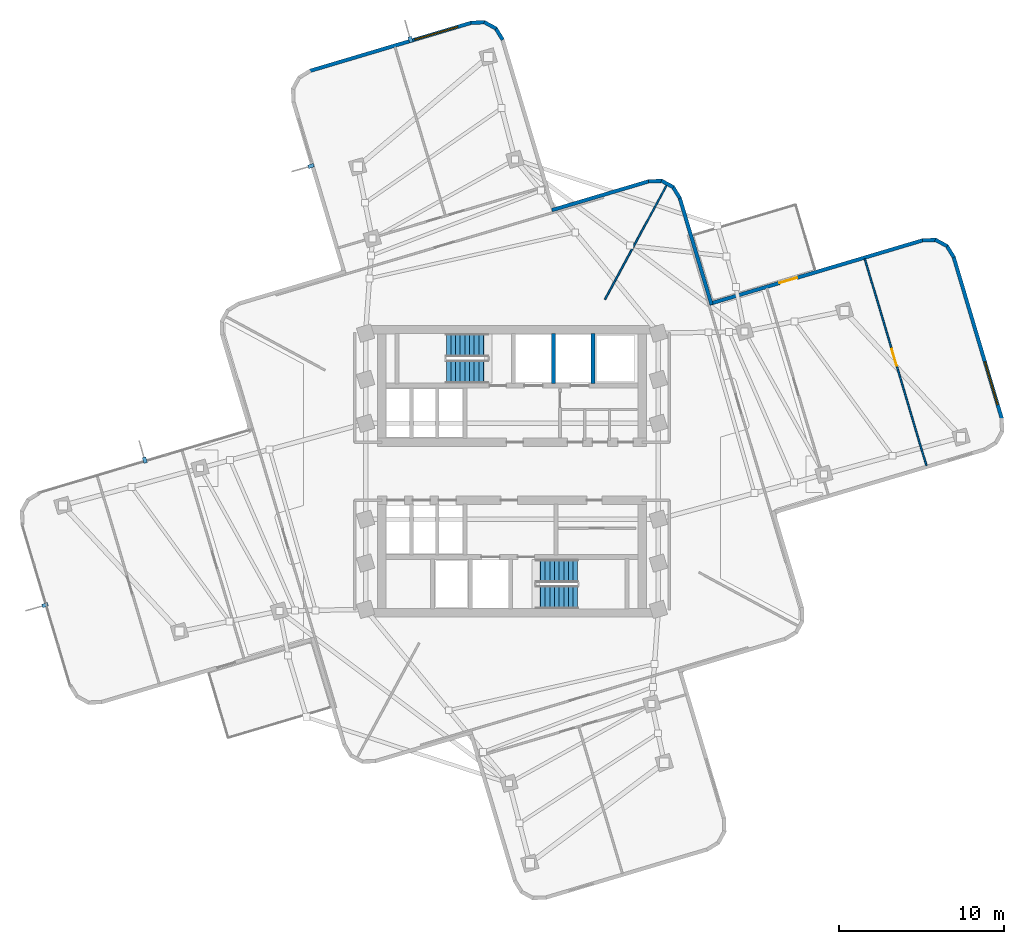
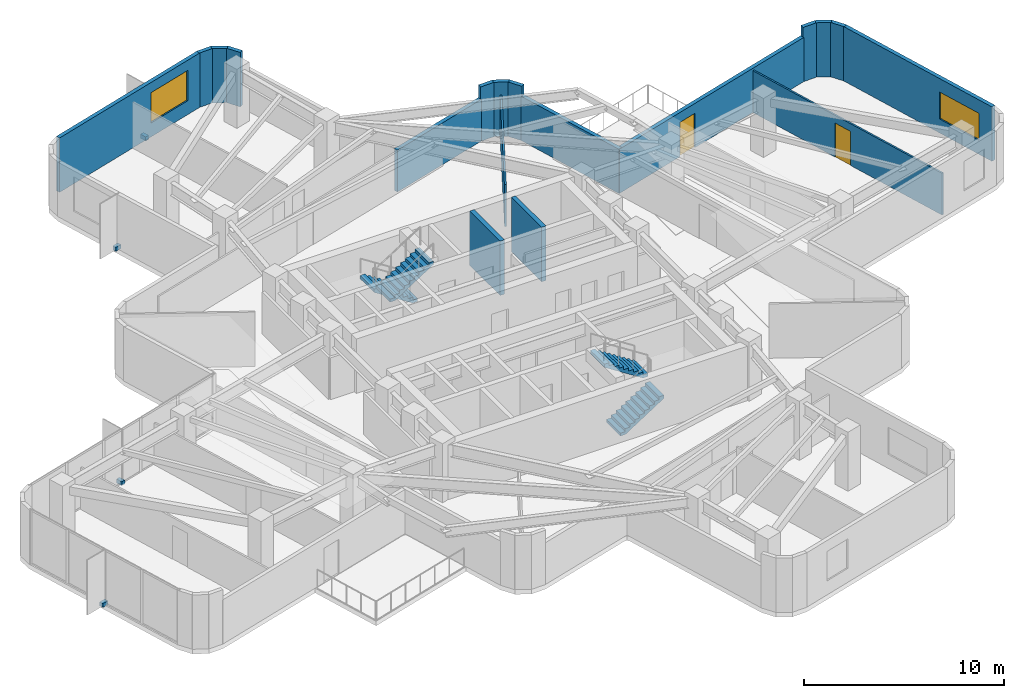
# One storey, part 8 of 11: 18 walls, 4 discrete accessories, 4 stair flights, 2 doors, 2 windows, 4 openings, 2 elements without a shape of their own.
"""IFC4 building model written with IfcOpenShell, lengths in metres."""

from ifc_helpers import new_model, si_unit, direction, frame, frame_2d, origin, origin_2d, place, context, subcontext, project, spatial, polyline, rectangle, outline, extrude, material, layer, layer_set, type_object, element, fill, aggregate, save


model = new_model("IFC4")

# Units and contexts
model_context = context("Model", 3, precision=1e-05, world=origin(), true_north=direction((0.0, 1.0)))
body_context = subcontext(model_context, "Body", "Model", "MODEL_VIEW")
ifc_project = project(units=[si_unit("LENGTHUNIT", "METRE"), si_unit("AREAUNIT", "SQUARE_METRE"), si_unit("VOLUMEUNIT", "CUBIC_METRE"), si_unit("PLANEANGLEUNIT", "RADIAN"), si_unit("MASSUNIT", "GRAM", prefix="KILO")], contexts=[model_context])

# Site, building, storey
site_placement = place(None, origin())
site = spatial("IfcSite", under=ifc_project, at=site_placement, CompositionType="ELEMENT")
building_placement = place(site_placement, origin())
building = spatial("IfcBuilding", under=site, at=building_placement, Name="Solmarez Civic Tower", CompositionType="ELEMENT")
storey_placement = place(building_placement, frame((0.0, 0.0, 141.47998046875)))
storey = spatial("IfcBuildingStorey", under=building, at=storey_placement, Name="L37", CompositionType="ELEMENT", Elevation=141.47998046875)

# Wall, opening, window
ifc_material_1 = material(Name="Precast concrete C40/50", Category="concrete")
ifc_layer_1 = layer(ifc_material_1, 0.219970703125)
ifc_layer_set_1 = layer_set([ifc_layer_1], Name="Precast concrete C40/50")
wall_type_1 = type_object("IfcWallType", Name="WALL-EXT-220", PredefinedType="SOLIDWALL", material=ifc_layer_set_1)
wall_1_placement = place(storey_placement, frame((-12.235107421875, 24.202880859375, 0.0), z_axis=(0.0, 0.0, 1.0), x_axis=(0.958315018626, 0.28571371174, 0.0)))
wall_1 = element("IfcWall", 1, at=wall_1_placement, inside=storey, type_object=wall_type_1, Name="L37 Exterior Precast Wall 24", PredefinedType="SOLIDWALL", context=body_context, shape_type="SweptSolid", body=[
    extrude(rectangle(XDim=10.2412109375, YDim=0.219970703125, at=frame_2d((5.12060546875, 0.0))), origin(), (0.0, 0.0, 1.0), 3.320068359375),
])
opening_1_placement = place(wall_1_placement, frame((6.637939453125, 0.0, 0.85009765625)))
opening_1 = element("IfcOpeningElement", 2, at=opening_1_placement, cuts=wall_1, Name="Opening W-05", PredefinedType="OPENING", context=body_context, shape_type="SweptSolid", body=[
    extrude(rectangle(XDim=2.699951171875, YDim=1.85009765625, at=frame_2d((1.35009765625, 0.925048828125))), frame((0.0, 0.119873046875, 0.0), z_axis=(0.0, -1.0, 0.0), x_axis=(1.0, 0.0, 0.0)), (0.0, 0.0, 1.0), 0.239990234375),
])
ifc_material_2 = material(Name="Solar Control Bronze-Tinted Insulating Glass", Category="glass")
window_type_1 = type_object("IfcWindowType", Name="WIN-2700X1850", PartitioningType="SINGLE_PANEL", PredefinedType="WINDOW", material=ifc_material_2)
window_1_placement = place(opening_1_placement, origin())
window_1 = element("IfcWindow", 3, at=window_1_placement, inside=storey, type_object=window_type_1, Name="L37 Exterior Facade Window 24", OverallHeight=1.85009765625, OverallWidth=2.699951171875, PartitioningType="SINGLE_PANEL", PredefinedType="WINDOW", context=body_context, shape_type="SweptSolid", body=[
    extrude(rectangle(XDim=2.699951171875, YDim=1.85009765625, at=frame_2d((1.35009765625, 0.925048828125))), frame((0.0, 0.030029296875, 0.0), z_axis=(0.0, -1.0, 0.0), x_axis=(1.0, 0.0, 0.0)), (0.0, 0.0, 1.0), 0.06005859375),
])
fill(opening_1, window_1)

# Walls
wall_2_placement = place(storey_placement, frame((-2.469970703125, 27.12109375, 0.0), z_axis=(0.0, 0.0, 1.0), x_axis=(0.999588738122, 0.028676726094, 0.0)))
element("IfcWall", 4, at=wall_2_placement, inside=storey, type_object=wall_type_1, Name="L37 Exterior Precast Wall 25", PredefinedType="SOLIDWALL", context=body_context, shape_type="SweptSolid", body=[
    extrude(rectangle(XDim=0.834228515625, YDim=0.219970703125, at=frame_2d((0.4169921875, 0.0))), origin(), (0.0, 0.0, 1.0), 3.320068359375),
])
wall_3_placement = place(storey_placement, frame((-1.68310546875, 27.156005859375, 0.0), z_axis=(0.0, 0.0, 1.0), x_axis=(0.879676210785, -0.475573090259, 0.0)))
element("IfcWall", 5, at=wall_3_placement, inside=storey, type_object=wall_type_1, Name="L37 Exterior Precast Wall 26", PredefinedType="SOLIDWALL", context=body_context, shape_type="SweptSolid", body=[
    extrude(rectangle(XDim=0.81982421875, YDim=0.219970703125, at=frame_2d((0.409912109375, 0.0))), origin(), (0.0, 0.0, 1.0), 3.320068359375),
])
wall_4_placement = place(storey_placement, frame((-0.9970703125, 26.799072265625, 0.0), z_axis=(0.0, 0.0, 1.0), x_axis=(0.524195456684, -0.851597982144, 0.0)))
element("IfcWall", 6, at=wall_4_placement, inside=storey, type_object=wall_type_1, Name="L37 Exterior Precast Wall 27", PredefinedType="SOLIDWALL", context=body_context, shape_type="SweptSolid", body=[
    extrude(rectangle(XDim=0.833740234375, YDim=0.219970703125, at=frame_2d((0.4169921875, 0.0))), origin(), (0.0, 0.0, 1.0), 3.320068359375),
])
wall_5_placement = place(storey_placement, frame((2.412109375, 15.787109375, 0.0), z_axis=(0.0, 0.0, 1.0), x_axis=(0.958315274342, 0.285712854037, 0.0)))
element("IfcWall", 7, at=wall_5_placement, inside=storey, type_object=wall_type_1, Name="L37 Exterior Precast Wall 31", PredefinedType="SOLIDWALL", context=body_context, shape_type="SweptSolid", body=[
    extrude(rectangle(XDim=6.138671875, YDim=0.219970703125, at=frame_2d((3.0693359375, 0.0))), origin(), (0.0, 0.0, 1.0), 2.550048828125),
])
wall_6_placement = place(storey_placement, frame((8.24609375, 17.532958984375, 0.0), z_axis=(0.0, 0.0, 1.0), x_axis=(0.999588738122, 0.028676726094, 0.0)))
element("IfcWall", 8, at=wall_6_placement, inside=storey, type_object=wall_type_1, Name="L37 Exterior Precast Wall 32", PredefinedType="SOLIDWALL", context=body_context, shape_type="SweptSolid", body=[
    extrude(rectangle(XDim=0.834228515625, YDim=0.219970703125, at=frame_2d((0.4169921875, 0.0))), origin(), (0.0, 0.0, 1.0), 3.320068359375),
])
wall_7_placement = place(storey_placement, frame((9.032958984375, 17.568115234375, 0.0), z_axis=(0.0, 0.0, 1.0), x_axis=(0.879484183411, -0.475928115507, 0.0)))
element("IfcWall", 9, at=wall_7_placement, inside=storey, type_object=wall_type_1, Name="L37 Exterior Precast Wall 33", PredefinedType="SOLIDWALL", context=body_context, shape_type="SweptSolid", body=[
    extrude(rectangle(XDim=0.81982421875, YDim=0.219970703125, at=frame_2d((0.409912109375, 0.0))), origin(), (0.0, 0.0, 1.0), 3.320068359375),
])
wall_8_placement = place(storey_placement, frame((9.718994140625, 17.2109375, 0.0), z_axis=(0.0, 0.0, 1.0), x_axis=(0.524195456684, -0.851597982144, 0.0)))
element("IfcWall", 10, at=wall_8_placement, inside=storey, type_object=wall_type_1, Name="L37 Exterior Precast Wall 34", PredefinedType="SOLIDWALL", context=body_context, shape_type="SweptSolid", body=[
    extrude(rectangle(XDim=0.833740234375, YDim=0.219970703125, at=frame_2d((0.4169921875, 0.0))), origin(), (0.0, 0.0, 1.0), 3.320068359375),
])
wall_9_placement = place(storey_placement, frame((10.135986328125, 16.5458984375, 0.0), z_axis=(0.0, 0.0, 1.0), x_axis=(0.285607207592, -0.958346765514, 0.0)))
element("IfcWall", 11, at=wall_9_placement, inside=storey, type_object=wall_type_1, Name="L37 Exterior Precast Wall 35", PredefinedType="SOLIDWALL", context=body_context, shape_type="SweptSolid", body=[
    extrude(rectangle(XDim=6.75732421875, YDim=0.219970703125, at=frame_2d((3.378662109375, 0.0))), origin(), (0.0, 0.0, 1.0), 2.699951171875),
])

# Wall, opening, door
wall_10_placement = place(storey_placement, frame((11.95703125, 10.12890625, 0.0), z_axis=(0.0, 0.0, 1.0), x_axis=(0.958343962332, 0.285616613419, 0.0)))
wall_10 = element("IfcWall", 12, at=wall_10_placement, inside=storey, type_object=wall_type_1, Name="L37 Exterior Precast Wall 38", PredefinedType="SOLIDWALL", context=body_context, shape_type="SweptSolid", body=[
    extrude(rectangle(XDim=13.45849609375, YDim=0.219970703125, at=frame_2d((6.729248046875, 0.0))), origin(), (0.0, 0.0, 1.0), 2.699951171875),
])
opening_2_placement = place(wall_10_placement, frame((4.39990234375, 0.0, 0.0)))
opening_2 = element("IfcOpeningElement", 13, at=opening_2_placement, cuts=wall_10, Name="Opening D-06", PredefinedType="OPENING", context=body_context, shape_type="SweptSolid", body=[
    extrude(rectangle(XDim=1.10009765625, YDim=2.10009765625, at=frame_2d((0.550048828125, 1.050048828125))), frame((0.0, 0.119873046875, 0.0), z_axis=(0.0, -1.0, 0.0), x_axis=(1.0, 0.0, 0.0)), (0.0, 0.0, 1.0), 0.239990234375),
])
ifc_material_3 = material(Name="Bronze Anodised Aluminium Glazed Terrace Door", Category="aluminium")
door_type_1 = type_object("IfcDoorType", Name="DOOR-TERR-1100", OperationType="NOTDEFINED", PredefinedType="DOOR", material=ifc_material_3)
door_1_placement = place(opening_2_placement, origin())
door_1 = element("IfcDoor", 14, at=door_1_placement, inside=storey, type_object=door_type_1, Name="L37 Outdoor Terrace Glazed Door", OperationType="SINGLE_SWING_RIGHT", OverallHeight=2.10009765625, OverallWidth=1.10009765625, PredefinedType="DOOR", context=body_context, shape_type="SweptSolid", body=[
    extrude(rectangle(XDim=1.10009765625, YDim=2.10009765625, at=frame_2d((0.550048828125, 1.050048828125))), frame((0.0, 0.02490234375, 0.0), z_axis=(0.0, -1.0, 0.0), x_axis=(1.0, 0.0, 0.0)), (0.0, 0.0, 1.0), 0.050048828125),
])
fill(opening_2, door_1)

# Walls
wall_11_placement = place(storey_placement, frame((24.805908203125, 13.965087890625, 0.0), z_axis=(0.0, 0.0, 1.0), x_axis=(0.999587773882, 0.028710317069, 0.0)))
element("IfcWall", 15, at=wall_11_placement, inside=storey, type_object=wall_type_1, Name="L37 Exterior Precast Wall 39", PredefinedType="SOLIDWALL", context=body_context, shape_type="SweptSolid", body=[
    extrude(rectangle(XDim=0.833251953125, YDim=0.219970703125, at=frame_2d((0.41650390625, 0.0))), origin(), (0.0, 0.0, 1.0), 3.320068359375),
])
wall_12_placement = place(storey_placement, frame((25.592041015625, 14.0, 0.0), z_axis=(0.0, 0.0, 1.0), x_axis=(0.879608832869, -0.47569769932, 0.0)))
element("IfcWall", 16, at=wall_12_placement, inside=storey, type_object=wall_type_1, Name="L37 Exterior Precast Wall 40", PredefinedType="SOLIDWALL", context=body_context, shape_type="SweptSolid", body=[
    extrude(rectangle(XDim=0.819580078125, YDim=0.219970703125, at=frame_2d((0.40966796875, 0.0))), origin(), (0.0, 0.0, 1.0), 3.320068359375),
])
wall_13_placement = place(storey_placement, frame((26.278076171875, 13.64306640625, 0.0), z_axis=(0.0, 0.0, 1.0), x_axis=(0.524195456684, -0.851597982144, 0.0)))
element("IfcWall", 17, at=wall_13_placement, inside=storey, type_object=wall_type_1, Name="L37 Exterior Precast Wall 41", PredefinedType="SOLIDWALL", context=body_context, shape_type="SweptSolid", body=[
    extrude(rectangle(XDim=0.833740234375, YDim=0.219970703125, at=frame_2d((0.4169921875, 0.0))), origin(), (0.0, 0.0, 1.0), 3.320068359375),
])

# Wall, opening, window
wall_14_placement = place(storey_placement, frame((26.695068359375, 12.97802734375, 0.0), z_axis=(0.0, 0.0, 1.0), x_axis=(0.285720239165, -0.958313072504, 0.0)))
wall_14 = element("IfcWall", 18, at=wall_14_placement, inside=storey, type_object=wall_type_1, Name="L37 Exterior Precast Wall 42", PredefinedType="SOLIDWALL", context=body_context, shape_type="SweptSolid", body=[
    extrude(rectangle(XDim=10.240966796875, YDim=0.219970703125, at=frame_2d((5.12060546875, 0.0))), origin(), (0.0, 0.0, 1.0), 3.320068359375),
])
opening_3_placement = place(wall_14_placement, frame((6.637939453125, 0.0, 0.85009765625)))
opening_3 = element("IfcOpeningElement", 19, at=opening_3_placement, cuts=wall_14, Name="Opening W-09", PredefinedType="OPENING", context=body_context, shape_type="SweptSolid", body=[
    extrude(rectangle(XDim=2.699951171875, YDim=1.64990234375, at=frame_2d((1.35009765625, 0.824951171875))), frame((0.0, 0.119873046875, 0.0), z_axis=(0.0, -1.0, 0.0), x_axis=(1.0, 0.0, 0.0)), (0.0, 0.0, 1.0), 0.239990234375),
])
window_type_2 = type_object("IfcWindowType", Name="WIN-2700X1650", PartitioningType="SINGLE_PANEL", PredefinedType="WINDOW", material=ifc_material_2)
window_2_placement = place(opening_3_placement, origin())
window_2 = element("IfcWindow", 20, at=window_2_placement, inside=storey, type_object=window_type_2, Name="L37 Exterior Facade Window 42", OverallHeight=1.64990234375, OverallWidth=2.699951171875, PartitioningType="SINGLE_PANEL", PredefinedType="WINDOW", context=body_context, shape_type="SweptSolid", body=[
    extrude(rectangle(XDim=2.699951171875, YDim=1.64990234375, at=frame_2d((1.35009765625, 0.824951171875))), frame((0.0, 0.030029296875, 0.0), z_axis=(0.0, -1.0, 0.0), x_axis=(1.0, 0.0, 0.0)), (0.0, 0.0, 1.0), 0.06005859375),
])
fill(opening_3, window_2)

# Wall
ifc_material_4 = material(Name="Gypsum Board Acoustic Steel-Stud Partition", Category="steel")
ifc_layer_2 = layer(ifc_material_4, 0.10009765625)
ifc_layer_set_2 = layer_set([ifc_layer_2], Name="Gypsum Board Acoustic Steel-Stud Partition")
wall_type_2 = type_object("IfcWallType", Name="WALL-INT-PART-100", PredefinedType="PARTITIONING", material=ifc_layer_set_2)
wall_15_placement = place(storey_placement, frame((5.612060546875, 10.3798828125, 0.0), z_axis=(0.0, 0.0, 1.0), x_axis=(0.475666815962, 0.879625534073, 0.0)))
element("IfcWall", 21, at=wall_15_placement, inside=storey, type_object=wall_type_2, Name="L37 Interior Partition PT-L37-QDIV-1", PredefinedType="PARTITIONING", context=body_context, shape_type="SweptSolid", body=[
    extrude(rectangle(XDim=7.875, YDim=0.10009765625, at=frame_2d((3.9375, 0.0))), origin(), (0.0, 0.0, 1.0), 2.550048828125),
])

# Wall, opening, door
wall_16_placement = place(storey_placement, frame((21.330078125, 12.843994140625, 0.0), z_axis=(0.0, 0.0, 1.0), x_axis=(0.285674008308, -0.958326854981, 0.0)))
wall_16 = element("IfcWall", 22, at=wall_16_placement, inside=storey, type_object=wall_type_2, Name="L37 Interior Partition PT-L37-E-SC2", PredefinedType="PARTITIONING", context=body_context, shape_type="SweptSolid", body=[
    extrude(rectangle(XDim=13.050048828125, YDim=0.10009765625, at=frame_2d((6.52490234375, 0.0))), origin(), (0.0, 0.0, 1.0), 2.550048828125),
])
opening_4_placement = place(wall_16_placement, frame((5.68994140625, 0.0, 0.0)))
opening_4 = element("IfcOpeningElement", 23, at=opening_4_placement, cuts=wall_16, Name="Opening D-13", PredefinedType="OPENING", context=body_context, shape_type="SweptSolid", body=[
    extrude(rectangle(XDim=1.050048828125, YDim=2.080078125, at=frame_2d((0.52490234375, 1.0400390625))), frame((0.0, 0.06005859375, 0.0), z_axis=(0.0, -1.0, 0.0), x_axis=(1.0, 0.0, 0.0)), (0.0, 0.0, 1.0), 0.1201171875),
])
ifc_material_5 = material(Name="Timber Directorate Office Door", Category="wood")
door_type_2 = type_object("IfcDoorType", Name="DOOR-INT-1050", OperationType="NOTDEFINED", PredefinedType="DOOR", material=ifc_material_5)
door_2_placement = place(opening_4_placement, origin())
door_2 = element("IfcDoor", 24, at=door_2_placement, inside=storey, type_object=door_type_2, Name="L37 Legal Counselling Room East Door", OperationType="SINGLE_SWING_RIGHT", OverallHeight=2.080078125, OverallWidth=1.050048828125, PredefinedType="DOOR", context=body_context, shape_type="SweptSolid", body=[
    extrude(rectangle(XDim=1.050048828125, YDim=2.080078125, at=frame_2d((0.52490234375, 1.0400390625))), frame((0.0, 0.02490234375, 0.0), z_axis=(0.0, -1.0, 0.0), x_axis=(1.0, 0.0, 0.0)), (0.0, 0.0, 1.0), 0.050048828125),
])
fill(opening_4, door_2)

# Walls
ifc_material_6 = material(Name="Concrete C50/60", Category="concrete")
ifc_layer_3 = layer(ifc_material_6, 0.300048828125)
ifc_layer_set_3 = layer_set([ifc_layer_3], Name="Concrete C50/60")
wall_type_3 = type_object("IfcWallType", Name="WALL-STR-300", PredefinedType="SOLIDWALL", material=ifc_layer_set_3)
for number, where, z_axis, x_axis, name in (
    (25, (2.5, 5.300048828125, 0.0), (0.0, 0.0, 1.0), (0.0, 1.0, 0.0), "L37 Split-Core Structural Wall SHW-N2-L37"),
    (26, (4.89990234375, 5.300048828125, 0.0), (0.0, 0.0, 1.0), (0.0, 1.0, 0.0), "L37 Split-Core Structural Wall SHW-N3-L37"),
):
    element("IfcWall", number, at=place(storey_placement, frame(where, z_axis=z_axis, x_axis=x_axis)), inside=storey, type_object=wall_type_3, Name=name, PredefinedType="SOLIDWALL", context=body_context, shape_type="SweptSolid", body=[
        extrude(rectangle(XDim=3.0400390625, YDim=0.25, at=frame_2d((1.52001953125, 0.0))), origin(), (0.0, 0.0, 1.0), 3.320068359375),
    ])

# Stair, stair flights
stair_type = type_object("IfcStairType", Name="STAIR-DOGLEG-140W-20R-1800", PredefinedType="HALF_TURN_STAIR", material=ifc_material_6)
stair_1_placement = place(storey_placement, origin())
stair_1 = element("IfcStair", 27, at=stair_1_placement, inside=storey, type_object=stair_type, Name="L37 North Core Protected Exit Stair ST-1", PredefinedType="HALF_TURN_STAIR")
stair_flight_type = type_object("IfcStairFlightType", Name="FLIGHT-DOGLEG-140W-10R-1800", PredefinedType="STRAIGHT", material=ifc_material_6)
stair_flight_1_placement = place(storey_placement, frame((-1.449951171875, 7.6201171875, 0.0), z_axis=(0.0, 0.0, 1.0), x_axis=(-1.0, 0.0, 0.0)))
stair_flight_1 = element("IfcStairFlight", 28, at=stair_flight_1_placement, type_object=stair_flight_type, Name="ST-1 flight 1", NumberOfRisers=10, NumberOfTreads=9, PredefinedType="STRAIGHT", RiserHeight=0.18, TreadLength=0.28, context=body_context, shape_type="SweptSolid", body=[
    extrude(outline(polyline([(0.0, 0.0), (0.0, 0.179931640625), (0.280029296875, 0.179931640625), (0.280029296875, 0.360107421875), (0.56005859375, 0.360107421875), (0.56005859375, 0.5400390625), (0.840087890625, 0.5400390625), (0.840087890625, 0.719970703125), (1.1201171875, 0.719970703125), (1.1201171875, 0.89990234375), (1.39990234375, 0.89990234375), (1.39990234375, 1.080078125), (1.679931640625, 1.080078125), (1.679931640625, 1.260009765625), (1.9599609375, 1.260009765625), (1.9599609375, 1.43994140625), (2.239990234375, 1.43994140625), (2.239990234375, 1.6201171875), (2.52001953125, 1.6201171875), (2.52001953125, 1.800048828125), (2.52001953125, 1.429931640625), (0.295654296875, 0.0), (0.0, 0.0)])), frame((0.0, 0.699951171875, 0.0), z_axis=(0.0, -1.0, 0.0), x_axis=(1.0, 0.0, 0.0)), (0.0, 0.0, 1.0), 1.39990234375),
])
stair_flight_2_placement = place(storey_placement, frame((-3.969970703125, 6.02001953125, 1.800048828125), z_axis=(0.0, 0.0, 1.0), x_axis=(1.0, 0.0, 0.0)))
stair_flight_2 = element("IfcStairFlight", 29, at=stair_flight_2_placement, type_object=stair_flight_type, Name="ST-1 flight 2", NumberOfRisers=10, NumberOfTreads=9, PredefinedType="STRAIGHT", RiserHeight=0.18, TreadLength=0.28, context=body_context, shape_type="SweptSolid", body=[
    extrude(outline(polyline([(0.0, 0.0), (0.0, 0.179931640625), (0.280029296875, 0.179931640625), (0.280029296875, 0.360107421875), (0.56005859375, 0.360107421875), (0.56005859375, 0.5400390625), (0.840087890625, 0.5400390625), (0.840087890625, 0.719970703125), (1.1201171875, 0.719970703125), (1.1201171875, 0.89990234375), (1.39990234375, 0.89990234375), (1.39990234375, 1.080078125), (1.679931640625, 1.080078125), (1.679931640625, 1.260009765625), (1.9599609375, 1.260009765625), (1.9599609375, 1.43994140625), (2.239990234375, 1.43994140625), (2.239990234375, 1.6201171875), (2.52001953125, 1.6201171875), (2.52001953125, 1.800048828125), (2.52001953125, 1.429931640625), (0.295654296875, 0.0), (0.0, 0.0)])), frame((0.0, 0.699951171875, 0.0), z_axis=(0.0, -1.0, 0.0), x_axis=(1.0, 0.0, 0.0)), (0.0, 0.0, 1.0), 1.39990234375),
])
aggregate(stair_1, [stair_flight_1, stair_flight_2])

stair_2_placement = place(storey_placement, origin())
stair_2 = element("IfcStair", 30, at=stair_2_placement, inside=storey, type_object=stair_type, Name="L37 South Core Protected Exit Stair ST-2", PredefinedType="HALF_TURN_STAIR")
stair_flight_3_placement = place(storey_placement, frame((1.449951171875, -7.6201171875, 0.0), z_axis=(0.0, 0.0, 1.0), x_axis=(1.0, 0.0, 0.0)))
stair_flight_3 = element("IfcStairFlight", 31, at=stair_flight_3_placement, type_object=stair_flight_type, Name="ST-2 flight 1", NumberOfRisers=10, NumberOfTreads=9, PredefinedType="STRAIGHT", RiserHeight=0.18, TreadLength=0.28, context=body_context, shape_type="SweptSolid", body=[
    extrude(outline(polyline([(0.0, 0.0), (0.0, 0.179931640625), (0.280029296875, 0.179931640625), (0.280029296875, 0.360107421875), (0.56005859375, 0.360107421875), (0.56005859375, 0.5400390625), (0.840087890625, 0.5400390625), (0.840087890625, 0.719970703125), (1.1201171875, 0.719970703125), (1.1201171875, 0.89990234375), (1.39990234375, 0.89990234375), (1.39990234375, 1.080078125), (1.679931640625, 1.080078125), (1.679931640625, 1.260009765625), (1.9599609375, 1.260009765625), (1.9599609375, 1.43994140625), (2.239990234375, 1.43994140625), (2.239990234375, 1.6201171875), (2.52001953125, 1.6201171875), (2.52001953125, 1.800048828125), (2.52001953125, 1.429931640625), (0.295654296875, 0.0), (0.0, 0.0)])), frame((0.0, 0.699951171875, 0.0), z_axis=(0.0, -1.0, 0.0), x_axis=(1.0, 0.0, 0.0)), (0.0, 0.0, 1.0), 1.39990234375),
])
stair_flight_4_placement = place(storey_placement, frame((3.969970703125, -6.02001953125, 1.800048828125), z_axis=(0.0, 0.0, 1.0), x_axis=(-1.0, 0.0, 0.0)))
stair_flight_4 = element("IfcStairFlight", 32, at=stair_flight_4_placement, type_object=stair_flight_type, Name="ST-2 flight 2", NumberOfRisers=10, NumberOfTreads=9, PredefinedType="STRAIGHT", RiserHeight=0.18, TreadLength=0.28, context=body_context, shape_type="SweptSolid", body=[
    extrude(outline(polyline([(0.0, 0.0), (0.0, 0.179931640625), (0.280029296875, 0.179931640625), (0.280029296875, 0.360107421875), (0.56005859375, 0.360107421875), (0.56005859375, 0.5400390625), (0.840087890625, 0.5400390625), (0.840087890625, 0.719970703125), (1.1201171875, 0.719970703125), (1.1201171875, 0.89990234375), (1.39990234375, 0.89990234375), (1.39990234375, 1.080078125), (1.679931640625, 1.080078125), (1.679931640625, 1.260009765625), (1.9599609375, 1.260009765625), (1.9599609375, 1.43994140625), (2.239990234375, 1.43994140625), (2.239990234375, 1.6201171875), (2.52001953125, 1.6201171875), (2.52001953125, 1.800048828125), (2.52001953125, 1.429931640625), (0.295654296875, 0.0), (0.0, 0.0)])), frame((0.0, 0.699951171875, 0.0), z_axis=(0.0, -1.0, 0.0), x_axis=(1.0, 0.0, 0.0)), (0.0, 0.0, 1.0), 1.39990234375),
])
aggregate(stair_2, [stair_flight_3, stair_flight_4])

# Discrete accessories
ifc_material_7 = material(Name="Stainless Steel Grade 1.4401", Category="steel")
discrete_accessory_type = type_object("IfcDiscreteAccessoryType", Name="BRACKET-SS-FIN", PredefinedType="BRACKET", material=ifc_material_7)
for number, where, z_axis, x_axis, name in (
    (33, (-28.235107421875, -8.093994140625, -0.06005859375), (0.0, 0.0, 1.0), (-0.958305675755, -0.285745046879, 0.0), "L37 Stainless Fin Support Bracket FIN-L37-01"),
    (34, (-22.199951171875, 0.676025390625, -0.06005859375), (0.0, 0.0, 1.0), (-0.285628870877, 0.958340309139, 0.0), "L37 Stainless Fin Support Bracket FIN-L37-02"),
    (35, (-12.14990234375, 18.458984375, -0.06005859375), (0.0, 0.0, 1.0), (-0.958347212051, -0.285605709247, 0.0), "L37 Stainless Fin Support Bracket FIN-L37-03"),
    (36, (-6.135986328125, 26.10498046875, -0.06005859375), (0.0, 0.0, 1.0), (-0.285745046879, 0.958305675755, 0.0), "L37 Stainless Fin Support Bracket FIN-L37-04"),
):
    element("IfcDiscreteAccessory", number, at=place(storey_placement, frame(where, z_axis=z_axis, x_axis=x_axis)), inside=storey, type_object=discrete_accessory_type, Name=name, PredefinedType="BRACKET", context=body_context, shape_type="SweptSolid", body=[
        extrude(rectangle(XDim=0.360107421875, YDim=0.219970703125, at=origin_2d()), origin(), (0.0, 0.0, 1.0), 0.239990234375),
    ])

save(model, "model.ifc")
